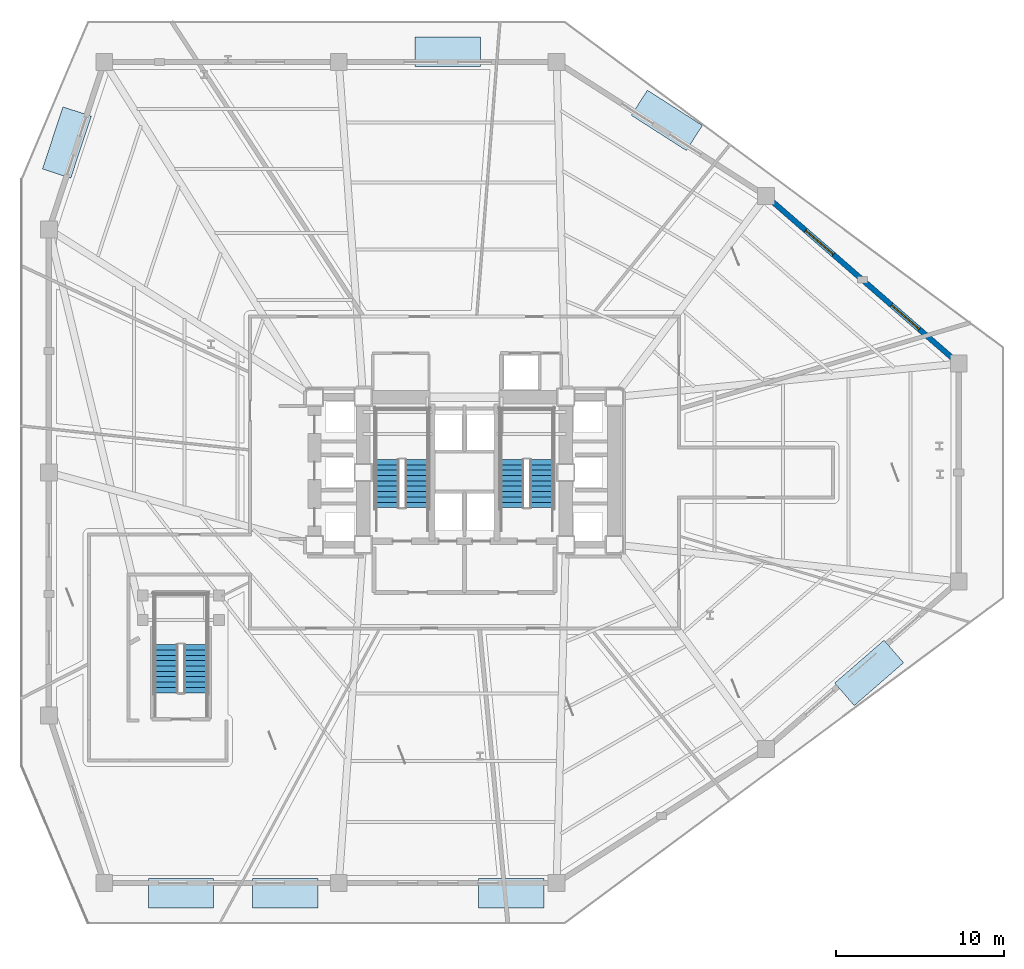
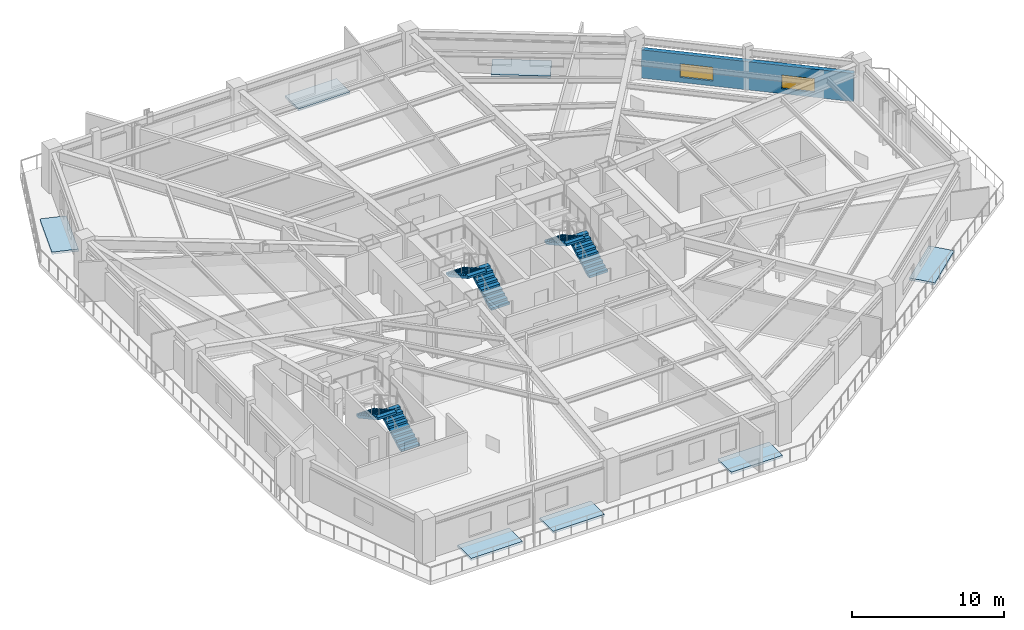
# One storey, part 6 of 10: 7 roofs, 6 stair flights, 2 windows, 1 wall, 2 openings, 3 elements without a shape of their own.
"""IFC4 building model written with IfcOpenShell, lengths in metres."""

from ifc_helpers import new_model, si_unit, direction, frame, frame_2d, origin, place, context, subcontext, project, spatial, polyline, rectangle, outline, extrude, material, layer, layer_set, type_object, element, fill, aggregate, save


model = new_model("IFC4")

# Units and contexts
model_context = context("Model", 3, precision=1e-05, world=origin(), true_north=direction((0.0, 1.0)))
body_context = subcontext(model_context, "Body", "Model", "MODEL_VIEW")
ifc_project = project(units=[si_unit("LENGTHUNIT", "METRE"), si_unit("AREAUNIT", "SQUARE_METRE"), si_unit("VOLUMEUNIT", "CUBIC_METRE"), si_unit("PLANEANGLEUNIT", "RADIAN"), si_unit("MASSUNIT", "GRAM", prefix="KILO")], contexts=[model_context])

# Site, building, storey
site_placement = place(None, origin())
site = spatial("IfcSite", under=ifc_project, at=site_placement, CompositionType="ELEMENT")
building_placement = place(site_placement, origin())
building = spatial("IfcBuilding", under=site, at=building_placement, Name="Rocaltana Carrier Exchange", CompositionType="ELEMENT")
storey_placement = place(building_placement, frame((0.0, 0.0, 4.800048828125)))
storey = spatial("IfcBuildingStorey", under=building, at=storey_placement, Name="L02", CompositionType="ELEMENT", Elevation=4.800048828125)

# Wall, openings, windows
ifc_material_1 = material(Name="Precast sandstone concrete C45/55", Category="masonry")
ifc_layer_1 = layer(ifc_material_1, 0.320068359375)
ifc_layer_set_1 = layer_set([ifc_layer_1], Name="Precast sandstone concrete C45/55")
wall_type = type_object("IfcWallType", Name="Precast Sandstone Facade Wall 320", PredefinedType="SOLIDWALL", material=ifc_layer_set_1)
wall_placement = place(storey_placement, frame((18.392333984375, 16.15869140625, 0.0), z_axis=(0.0, 0.0, 1.0), x_axis=(0.754615886195, -0.656166796098, 0.0)))
wall = element("IfcWall", 1, at=wall_placement, inside=storey, type_object=wall_type, Name="L02 Sandstone Facade Wall B06", PredefinedType="SOLIDWALL", context=body_context, shape_type="SweptSolid", body=[
    extrude(rectangle(XDim=14.19970703125, YDim=0.320068359375, at=frame_2d((7.099853515625, 0.0))), origin(), (0.0, 0.0, 1.0), 2.260986328125),
])
opening_1_placement = place(wall_placement, frame((2.599853515625, 0.0, 0.39990234375)))
opening_1 = element("IfcOpeningElement", 2, at=opening_1_placement, cuts=wall, Name="Opening W-04", PredefinedType="OPENING", context=body_context, shape_type="SweptSolid", body=[
    extrude(rectangle(XDim=2.199951171875, YDim=1.10009765625, at=frame_2d((1.10009765625, 0.550048828125))), frame((0.0, 0.169921875, 0.0), z_axis=(0.0, -1.0, 0.0), x_axis=(1.0, 0.0, 0.0)), (0.0, 0.0, 1.0), 0.340087890625),
])
opening_2_placement = place(wall_placement, frame((9.39990234375, 0.0, 0.39990234375)))
opening_2 = element("IfcOpeningElement", 3, at=opening_2_placement, cuts=wall, Name="Opening W-04", PredefinedType="OPENING", context=body_context, shape_type="SweptSolid", body=[
    extrude(rectangle(XDim=2.199951171875, YDim=1.10009765625, at=frame_2d((1.10009765625, 0.550048828125))), frame((0.0, 0.169921875, 0.0), z_axis=(0.0, -1.0, 0.0), x_axis=(1.0, 0.0, 0.0)), (0.0, 0.0, 1.0), 0.340087890625),
])
ifc_material_2 = material(Name="Aluminium 6063-T6 & Double Glazing", Category="aluminium")
window_type = type_object("IfcWindowType", Name="Podium Clerestory Window 2200x1100", PartitioningType="SINGLE_PANEL", PredefinedType="WINDOW", material=ifc_material_2)
window_1_placement = place(opening_1_placement, origin())
window_1 = element("IfcWindow", 4, at=window_1_placement, inside=storey, type_object=window_type, Name="L02 Punched Window B06-1", OverallHeight=1.10009765625, OverallWidth=2.199951171875, PartitioningType="SINGLE_PANEL", PredefinedType="WINDOW", context=body_context, shape_type="SweptSolid", body=[
    extrude(rectangle(XDim=2.199951171875, YDim=1.10009765625, at=frame_2d((1.10009765625, 0.550048828125))), frame((0.0, 0.030029296875, 0.0), z_axis=(0.0, -1.0, 0.0), x_axis=(1.0, 0.0, 0.0)), (0.0, 0.0, 1.0), 0.06005859375),
])
fill(opening_1, window_1)
window_2_placement = place(opening_2_placement, origin())
window_2 = element("IfcWindow", 5, at=window_2_placement, inside=storey, type_object=window_type, Name="L02 Punched Window B06-3", OverallHeight=1.10009765625, OverallWidth=2.199951171875, PartitioningType="SINGLE_PANEL", PredefinedType="WINDOW", context=body_context, shape_type="SweptSolid", body=[
    extrude(rectangle(XDim=2.199951171875, YDim=1.10009765625, at=frame_2d((1.10009765625, 0.550048828125))), frame((0.0, 0.030029296875, 0.0), z_axis=(0.0, -1.0, 0.0), x_axis=(1.0, 0.0, 0.0)), (0.0, 0.0, 1.0), 0.06005859375),
])
fill(opening_2, window_2)

# Stair, stair flights
ifc_material_3 = material(Name="Precast concrete C45/55", Category="concrete")
stair_type = type_object("IfcStairType", Name="Standard Dog-Leg Stair 160", PredefinedType="HALF_TURN_STAIR", material=ifc_material_3)
stair_1_placement = place(storey_placement, origin())
stair_1 = element("IfcStair", 6, at=stair_1_placement, inside=storey, type_object=stair_type, Name="L02 Core West Exit Stair ST-1", PredefinedType="HALF_TURN_STAIR")
ifc_material_4 = material(Name="Precast concrete C45/55", Category="concrete")
stair_flight_type = type_object("IfcStairFlightType", Name="Precast Stair Flight 160", PredefinedType="STRAIGHT", material=ifc_material_4)
stair_flight_1_placement = place(storey_placement, frame((-2.840087890625, -2.10009765625, 0.0), z_axis=(0.0, 0.0, 1.0), x_axis=(0.0, 1.0, 0.0)))
stair_flight_1 = element("IfcStairFlight", 7, at=stair_flight_1_placement, type_object=stair_flight_type, Name="ST-1 flight 1", NumberOfRisers=10, NumberOfTreads=9, PredefinedType="STRAIGHT", RiserHeight=0.176, TreadLength=0.32, context=body_context, shape_type="SweptSolid", body=[
    extrude(outline(polyline([(0.0, 0.0), (0.0, 0.176025390625), (0.320068359375, 0.176025390625), (0.320068359375, 0.35205078125), (0.639892578125, 0.35205078125), (0.639892578125, 0.528076171875), (0.9599609375, 0.528076171875), (0.9599609375, 0.7041015625), (1.280029296875, 0.7041015625), (1.280029296875, 0.8798828125), (1.60009765625, 0.8798828125), (1.60009765625, 1.055908203125), (1.919921875, 1.055908203125), (1.919921875, 1.23193359375), (2.239990234375, 1.23193359375), (2.239990234375, 1.407958984375), (2.56005859375, 1.407958984375), (2.56005859375, 1.583984375), (2.8798828125, 1.583984375), (2.8798828125, 1.760009765625), (2.8798828125, 1.401611328125), (0.331787109375, 0.0), (0.0, 0.0)])), frame((0.0, 0.699951171875, 0.0), z_axis=(0.0, -1.0, 0.0), x_axis=(1.0, 0.0, 0.0)), (0.0, 0.0, 1.0), 1.39990234375),
])
stair_flight_2_placement = place(storey_placement, frame((-4.60009765625, 0.780029296875, 1.760009765625), z_axis=(0.0, 0.0, 1.0), x_axis=(0.0, -1.0, 0.0)))
stair_flight_2 = element("IfcStairFlight", 8, at=stair_flight_2_placement, type_object=stair_flight_type, Name="ST-1 flight 2", NumberOfRisers=10, NumberOfTreads=9, PredefinedType="STRAIGHT", RiserHeight=0.176, TreadLength=0.32, context=body_context, shape_type="SweptSolid", body=[
    extrude(outline(polyline([(0.0, 0.0), (0.0, 0.176025390625), (0.320068359375, 0.176025390625), (0.320068359375, 0.35205078125), (0.639892578125, 0.35205078125), (0.639892578125, 0.528076171875), (0.9599609375, 0.528076171875), (0.9599609375, 0.7041015625), (1.280029296875, 0.7041015625), (1.280029296875, 0.8798828125), (1.60009765625, 0.8798828125), (1.60009765625, 1.055908203125), (1.919921875, 1.055908203125), (1.919921875, 1.23193359375), (2.239990234375, 1.23193359375), (2.239990234375, 1.407958984375), (2.56005859375, 1.407958984375), (2.56005859375, 1.583984375), (2.8798828125, 1.583984375), (2.8798828125, 1.760009765625), (2.8798828125, 1.401611328125), (0.331787109375, 0.0), (0.0, 0.0)])), frame((0.0, 0.699951171875, 0.0), z_axis=(0.0, -1.0, 0.0), x_axis=(1.0, 0.0, 0.0)), (0.0, 0.0, 1.0), 1.39990234375),
])
aggregate(stair_1, [stair_flight_1, stair_flight_2])

stair_2_placement = place(storey_placement, origin())
stair_2 = element("IfcStair", 9, at=stair_2_placement, inside=storey, type_object=stair_type, Name="L02 Core East Exit Stair ST-2", PredefinedType="HALF_TURN_STAIR")
stair_flight_3_placement = place(storey_placement, frame((4.60009765625, -2.10009765625, 0.0), z_axis=(0.0, 0.0, 1.0), x_axis=(0.0, 1.0, 0.0)))
stair_flight_3 = element("IfcStairFlight", 10, at=stair_flight_3_placement, type_object=stair_flight_type, Name="ST-2 flight 1", NumberOfRisers=10, NumberOfTreads=9, PredefinedType="STRAIGHT", RiserHeight=0.176, TreadLength=0.32, context=body_context, shape_type="SweptSolid", body=[
    extrude(outline(polyline([(0.0, 0.0), (0.0, 0.176025390625), (0.320068359375, 0.176025390625), (0.320068359375, 0.35205078125), (0.639892578125, 0.35205078125), (0.639892578125, 0.528076171875), (0.9599609375, 0.528076171875), (0.9599609375, 0.7041015625), (1.280029296875, 0.7041015625), (1.280029296875, 0.8798828125), (1.60009765625, 0.8798828125), (1.60009765625, 1.055908203125), (1.919921875, 1.055908203125), (1.919921875, 1.23193359375), (2.239990234375, 1.23193359375), (2.239990234375, 1.407958984375), (2.56005859375, 1.407958984375), (2.56005859375, 1.583984375), (2.8798828125, 1.583984375), (2.8798828125, 1.760009765625), (2.8798828125, 1.401611328125), (0.331787109375, 0.0), (0.0, 0.0)])), frame((0.0, 0.699951171875, 0.0), z_axis=(0.0, -1.0, 0.0), x_axis=(1.0, 0.0, 0.0)), (0.0, 0.0, 1.0), 1.39990234375),
])
stair_flight_4_placement = place(storey_placement, frame((2.840087890625, 0.780029296875, 1.760009765625), z_axis=(0.0, 0.0, 1.0), x_axis=(0.0, -1.0, 0.0)))
stair_flight_4 = element("IfcStairFlight", 11, at=stair_flight_4_placement, type_object=stair_flight_type, Name="ST-2 flight 2", NumberOfRisers=10, NumberOfTreads=9, PredefinedType="STRAIGHT", RiserHeight=0.176, TreadLength=0.32, context=body_context, shape_type="SweptSolid", body=[
    extrude(outline(polyline([(0.0, 0.0), (0.0, 0.176025390625), (0.320068359375, 0.176025390625), (0.320068359375, 0.35205078125), (0.639892578125, 0.35205078125), (0.639892578125, 0.528076171875), (0.9599609375, 0.528076171875), (0.9599609375, 0.7041015625), (1.280029296875, 0.7041015625), (1.280029296875, 0.8798828125), (1.60009765625, 0.8798828125), (1.60009765625, 1.055908203125), (1.919921875, 1.055908203125), (1.919921875, 1.23193359375), (2.239990234375, 1.23193359375), (2.239990234375, 1.407958984375), (2.56005859375, 1.407958984375), (2.56005859375, 1.583984375), (2.8798828125, 1.583984375), (2.8798828125, 1.760009765625), (2.8798828125, 1.401611328125), (0.331787109375, 0.0), (0.0, 0.0)])), frame((0.0, 0.699951171875, 0.0), z_axis=(0.0, -1.0, 0.0), x_axis=(1.0, 0.0, 0.0)), (0.0, 0.0, 1.0), 1.39990234375),
])
aggregate(stair_2, [stair_flight_3, stair_flight_4])

stair_3_placement = place(storey_placement, origin())
stair_3 = element("IfcStair", 12, at=stair_3_placement, inside=storey, type_object=stair_type, Name="L02 Podium Concourse Exit Stair ST-3", PredefinedType="HALF_TURN_STAIR")
stair_flight_5_placement = place(storey_placement, frame((-16.0400390625, -13.14990234375, 0.0), z_axis=(0.0, 0.0, 1.0), x_axis=(0.0, 1.0, 0.0)))
stair_flight_5 = element("IfcStairFlight", 13, at=stair_flight_5_placement, type_object=stair_flight_type, Name="ST-3 flight 1", NumberOfRisers=10, NumberOfTreads=9, PredefinedType="STRAIGHT", RiserHeight=0.176, TreadLength=0.32, context=body_context, shape_type="SweptSolid", body=[
    extrude(outline(polyline([(0.0, 0.0), (0.0, 0.176025390625), (0.320068359375, 0.176025390625), (0.320068359375, 0.35205078125), (0.639892578125, 0.35205078125), (0.639892578125, 0.528076171875), (0.9599609375, 0.528076171875), (0.9599609375, 0.7041015625), (1.280029296875, 0.7041015625), (1.280029296875, 0.8798828125), (1.60009765625, 0.8798828125), (1.60009765625, 1.055908203125), (1.919921875, 1.055908203125), (1.919921875, 1.23193359375), (2.239990234375, 1.23193359375), (2.239990234375, 1.407958984375), (2.56005859375, 1.407958984375), (2.56005859375, 1.583984375), (2.8798828125, 1.583984375), (2.8798828125, 1.760009765625), (2.8798828125, 1.401611328125), (0.331787109375, 0.0), (0.0, 0.0)])), frame((0.0, 0.699951171875, 0.0), z_axis=(0.0, -1.0, 0.0), x_axis=(1.0, 0.0, 0.0)), (0.0, 0.0, 1.0), 1.39990234375),
])
stair_flight_6_placement = place(storey_placement, frame((-17.800048828125, -10.27001953125, 1.760009765625), z_axis=(0.0, 0.0, 1.0), x_axis=(0.0, -1.0, 0.0)))
stair_flight_6 = element("IfcStairFlight", 14, at=stair_flight_6_placement, type_object=stair_flight_type, Name="ST-3 flight 2", NumberOfRisers=10, NumberOfTreads=9, PredefinedType="STRAIGHT", RiserHeight=0.176, TreadLength=0.32, context=body_context, shape_type="SweptSolid", body=[
    extrude(outline(polyline([(0.0, 0.0), (0.0, 0.176025390625), (0.320068359375, 0.176025390625), (0.320068359375, 0.35205078125), (0.639892578125, 0.35205078125), (0.639892578125, 0.528076171875), (0.9599609375, 0.528076171875), (0.9599609375, 0.7041015625), (1.280029296875, 0.7041015625), (1.280029296875, 0.8798828125), (1.60009765625, 0.8798828125), (1.60009765625, 1.055908203125), (1.919921875, 1.055908203125), (1.919921875, 1.23193359375), (2.239990234375, 1.23193359375), (2.239990234375, 1.407958984375), (2.56005859375, 1.407958984375), (2.56005859375, 1.583984375), (2.8798828125, 1.583984375), (2.8798828125, 1.760009765625), (2.8798828125, 1.401611328125), (0.331787109375, 0.0), (0.0, 0.0)])), frame((0.0, 0.699951171875, 0.0), z_axis=(0.0, -1.0, 0.0), x_axis=(1.0, 0.0, 0.0)), (0.0, 0.0, 1.0), 1.39990234375),
])
aggregate(stair_3, [stair_flight_5, stair_flight_6])

# Roofs
ifc_material_5 = material(Name="Architectural Steel S355 & Laminated Glass", Category="steel")
ifc_layer_2 = layer(ifc_material_5, 0.179931640625)
ifc_layer_set_2 = layer_set([ifc_layer_2], Name="Architectural Steel S355 & Laminated Glass")
roof_type = type_object("IfcRoofType", Name="Street Concourse Portal Canopy 180", PredefinedType="USERDEFINED", material=ifc_layer_set_2)
roof_1_placement = place(storey_placement, frame((0.0, 0.0, -0.179931640625)))
element("IfcRoof", 15, at=roof_1_placement, inside=storey, type_object=roof_type, Name="Street Concourse Entrance Canopy E-01", ObjectType="CANOPY", PredefinedType="USERDEFINED", context=body_context, shape_type="SweptSolid", body=[
    extrude(outline(polyline([(-8.75, -24.219970703125), (-12.64990234375, -24.219970703125), (-12.64990234375, -26.0), (-8.75, -26.0), (-8.75, -24.219970703125)])), origin(), (0.0, 0.0, 1.0), 0.179931640625),
])
roof_2_placement = place(storey_placement, frame((0.0, 0.0, -0.179931640625)))
element("IfcRoof", 16, at=roof_2_placement, inside=storey, type_object=roof_type, Name="Street Concourse Entrance Canopy E-07", ObjectType="CANOPY", PredefinedType="USERDEFINED", context=body_context, shape_type="SweptSolid", body=[
    extrude(outline(polyline([(-14.969970703125, -24.219970703125), (-18.8701171875, -24.219970703125), (-18.8701171875, -26.0), (-14.969970703125, -26.0), (-14.969970703125, -24.219970703125)])), origin(), (0.0, 0.0, 1.0), 0.179931640625),
])
roof_3_placement = place(storey_placement, frame((0.0, 0.0, -0.179931640625)))
element("IfcRoof", 17, at=roof_3_placement, inside=storey, type_object=roof_type, Name="Street Concourse Entrance Canopy E-02", ObjectType="CANOPY", PredefinedType="USERDEFINED", context=body_context, shape_type="SweptSolid", body=[
    extrude(outline(polyline([(4.75, -24.219970703125), (0.85009765625, -24.219970703125), (0.85009765625, -26.0), (4.75, -26.0), (4.75, -24.219970703125)])), origin(), (0.0, 0.0, 1.0), 0.179931640625),
])
roof_4_placement = place(storey_placement, frame((0.0, 0.0, -0.179931640625)))
element("IfcRoof", 18, at=roof_4_placement, inside=storey, type_object=roof_type, Name="Street Concourse Entrance Canopy E-03", ObjectType="CANOPY", PredefinedType="USERDEFINED", context=body_context, shape_type="SweptSolid", body=[
    extrude(outline(polyline([(25.03759765625, -10.009033203125), (22.0947265625, -12.568115234375), (23.2626953125, -13.911376953125), (26.205810546875, -11.352294921875), (25.03759765625, -10.009033203125)])), origin(), (0.0, 0.0, 1.0), 0.179931640625),
])
roof_5_placement = place(storey_placement, frame((0.0, 0.0, -0.179931640625)))
element("IfcRoof", 19, at=roof_5_placement, inside=storey, type_object=roof_type, Name="Street Concourse Entrance Canopy E-04", ObjectType="CANOPY", PredefinedType="USERDEFINED", context=body_context, shape_type="SweptSolid", body=[
    extrude(outline(polyline([(9.95654296875, 21.315185546875), (13.241455078125, 19.212890625), (14.200927734375, 20.71240234375), (10.916015625, 22.814697265625), (9.95654296875, 21.315185546875)])), origin(), (0.0, 0.0, 1.0), 0.179931640625),
])
roof_6_placement = place(storey_placement, frame((0.0, 0.0, -0.179931640625)))
element("IfcRoof", 20, at=roof_6_placement, inside=storey, type_object=roof_type, Name="Street Concourse Entrance Canopy E-05", ObjectType="CANOPY", PredefinedType="USERDEFINED", context=body_context, shape_type="SweptSolid", body=[
    extrude(outline(polyline([(-2.949951171875, 24.219970703125), (0.949951171875, 24.219970703125), (0.949951171875, 26.0), (-2.949951171875, 26.0), (-2.949951171875, 24.219970703125)])), origin(), (0.0, 0.0, 1.0), 0.179931640625),
])
roof_7_placement = place(storey_placement, frame((0.0, 0.0, -0.179931640625)))
element("IfcRoof", 21, at=roof_7_placement, inside=storey, type_object=roof_type, Name="Street Concourse Entrance Canopy E-06", ObjectType="CANOPY", PredefinedType="USERDEFINED", context=body_context, shape_type="SweptSolid", body=[
    extrude(outline(polyline([(-23.4951171875, 17.560546875), (-22.27294921875, 21.263916015625), (-23.96337890625, 21.822021484375), (-25.185546875, 18.118408203125), (-23.4951171875, 17.560546875)])), origin(), (0.0, 0.0, 1.0), 0.179931640625),
])

save(model, "model.ifc")
